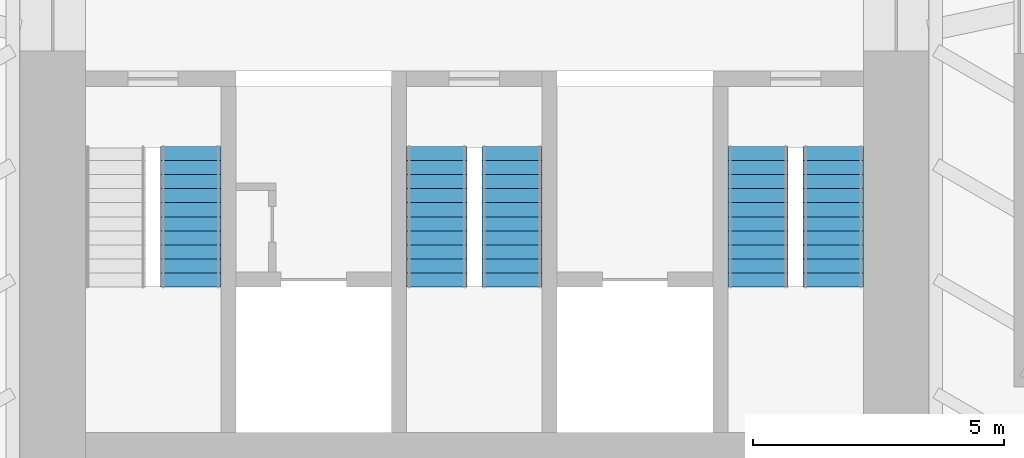
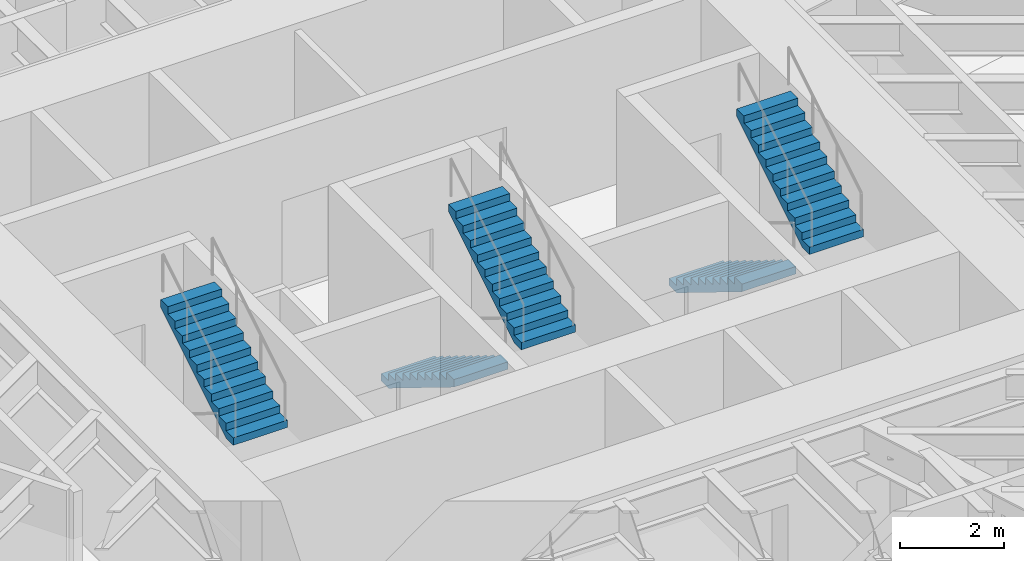
# One storey, part 16 of 17: 5 stair flights, 3 elements without a shape of their own.
"""IFC4 building model written with IfcOpenShell, lengths in metres."""

from ifc_helpers import new_model, si_unit, direction, frame, origin, place, context, subcontext, project, spatial, polyline, outline, extrude, material, type_object, element, aggregate, save


model = new_model("IFC4")

# Units and contexts
model_context = context("Model", 3, precision=1e-05, world=origin(), true_north=direction((0.0, 1.0)))
body_context = subcontext(model_context, "Body", "Model", "MODEL_VIEW")
ifc_project = project(units=[si_unit("LENGTHUNIT", "METRE"), si_unit("AREAUNIT", "SQUARE_METRE"), si_unit("VOLUMEUNIT", "CUBIC_METRE"), si_unit("PLANEANGLEUNIT", "RADIAN"), si_unit("MASSUNIT", "GRAM", prefix="KILO")], contexts=[model_context])

# Site, building, storey
site_placement = place(None, origin())
site = spatial("IfcSite", under=ifc_project, at=site_placement, CompositionType="ELEMENT")
building_placement = place(site_placement, origin())
building = spatial("IfcBuilding", under=site, at=building_placement, Name="Sandreach Pilgrim Tower", CompositionType="ELEMENT")
storey_placement = place(building_placement, frame((0.0, 0.0, 146.199951171875)))
storey = spatial("IfcBuildingStorey", under=building, at=storey_placement, Name="L36", CompositionType="ELEMENT", Elevation=146.199951171875)

# Stair, stair flight
ifc_material_1 = material(Name="Concrete 8000 psi", Category="concrete")
stair_type = type_object("IfcStairType", Name="Core exit stair", PredefinedType="HALF_TURN_STAIR", material=ifc_material_1)
stair_1_placement = place(storey_placement, origin())
stair_1 = element("IfcStair", 1, at=stair_1_placement, inside=storey, type_object=stair_type, Name="Exit stair ST1 L36", PredefinedType="HALF_TURN_STAIR")
ifc_material_2 = material(Name="Concrete 8000 psi", Category="concrete")
stair_flight_type = type_object("IfcStairFlightType", Name="Core stair flight 1200", PredefinedType="STRAIGHT", material=ifc_material_2)
stair_flight_1_placement = place(storey_placement, frame((-5.64990234375, -3.199951171875, 1.900146484375), z_axis=(0.0, 0.0, 1.0), x_axis=(0.0, 1.0, 0.0)))
stair_flight_1 = element("IfcStairFlight", 2, at=stair_flight_1_placement, type_object=stair_flight_type, Name="ST1 flight 2", NumberOfRisers=11, NumberOfTreads=10, PredefinedType="STRAIGHT", RiserHeight=0.172727273, TreadLength=0.28, context=body_context, shape_type="SweptSolid", body=[
    extrude(outline(polyline([(0.0, 0.0), (0.0, 0.172607421875), (0.280029296875, 0.172607421875), (0.280029296875, 0.345458984375), (0.56005859375, 0.345458984375), (0.56005859375, 0.51806640625), (0.840087890625, 0.51806640625), (0.840087890625, 0.69091796875), (1.1201171875, 0.69091796875), (1.1201171875, 0.863525390625), (1.39990234375, 0.863525390625), (1.39990234375, 1.036376953125), (1.679931640625, 1.036376953125), (1.679931640625, 1.208984375), (1.9599609375, 1.208984375), (1.9599609375, 1.3818359375), (2.239990234375, 1.3818359375), (2.239990234375, 1.554443359375), (2.52001953125, 1.554443359375), (2.52001953125, 1.727294921875), (2.800048828125, 1.727294921875), (2.800048828125, 1.89990234375), (2.800048828125, 1.551025390625), (0.285400390625, 0.0), (0.0, 0.0)])), frame((0.0, 0.60009765625, 0.0), z_axis=(0.0, -1.0, 0.0), x_axis=(1.0, 0.0, 0.0)), (0.0, 0.0, 1.0), 1.199951171875),
])
aggregate(stair_1, [stair_flight_1])

# Stair, stair flights
stair_2_placement = place(storey_placement, origin())
stair_2 = element("IfcStair", 3, at=stair_2_placement, inside=storey, type_object=stair_type, Name="Exit stair ST3 L36", PredefinedType="HALF_TURN_STAIR")
stair_flight_2_placement = place(storey_placement, frame((-0.75, -0.39990234375, 0.0), z_axis=(0.0, 0.0, 1.0), x_axis=(0.0, -1.0, 0.0)))
stair_flight_2 = element("IfcStairFlight", 4, at=stair_flight_2_placement, type_object=stair_flight_type, Name="ST3 flight 1", NumberOfRisers=11, NumberOfTreads=10, PredefinedType="STRAIGHT", RiserHeight=0.172727273, TreadLength=0.28, context=body_context, shape_type="SweptSolid", body=[
    extrude(outline(polyline([(0.0, 0.0), (0.0, 0.172607421875), (0.280029296875, 0.172607421875), (0.280029296875, 0.345458984375), (0.56005859375, 0.345458984375), (0.56005859375, 0.51806640625), (0.840087890625, 0.51806640625), (0.840087890625, 0.69091796875), (1.1201171875, 0.69091796875), (1.1201171875, 0.863525390625), (1.39990234375, 0.863525390625), (1.39990234375, 1.036376953125), (1.679931640625, 1.036376953125), (1.679931640625, 1.208984375), (1.9599609375, 1.208984375), (1.9599609375, 1.3818359375), (2.239990234375, 1.3818359375), (2.239990234375, 1.554443359375), (2.52001953125, 1.554443359375), (2.52001953125, 1.727294921875), (2.800048828125, 1.727294921875), (2.800048828125, 1.89990234375), (2.800048828125, 1.551025390625), (0.285400390625, 0.0), (0.0, 0.0)])), frame((0.0, 0.60009765625, 0.0), z_axis=(0.0, -1.0, 0.0), x_axis=(1.0, 0.0, 0.0)), (0.0, 0.0, 1.0), 1.199951171875),
])
stair_flight_3_placement = place(storey_placement, frame((0.75, -3.199951171875, 1.900146484375), z_axis=(0.0, 0.0, 1.0), x_axis=(0.0, 1.0, 0.0)))
stair_flight_3 = element("IfcStairFlight", 5, at=stair_flight_3_placement, type_object=stair_flight_type, Name="ST3 flight 2", NumberOfRisers=11, NumberOfTreads=10, PredefinedType="STRAIGHT", RiserHeight=0.172727273, TreadLength=0.28, context=body_context, shape_type="SweptSolid", body=[
    extrude(outline(polyline([(0.0, 0.0), (0.0, 0.172607421875), (0.280029296875, 0.172607421875), (0.280029296875, 0.345458984375), (0.56005859375, 0.345458984375), (0.56005859375, 0.51806640625), (0.840087890625, 0.51806640625), (0.840087890625, 0.69091796875), (1.1201171875, 0.69091796875), (1.1201171875, 0.863525390625), (1.39990234375, 0.863525390625), (1.39990234375, 1.036376953125), (1.679931640625, 1.036376953125), (1.679931640625, 1.208984375), (1.9599609375, 1.208984375), (1.9599609375, 1.3818359375), (2.239990234375, 1.3818359375), (2.239990234375, 1.554443359375), (2.52001953125, 1.554443359375), (2.52001953125, 1.727294921875), (2.800048828125, 1.727294921875), (2.800048828125, 1.89990234375), (2.800048828125, 1.551025390625), (0.285400390625, 0.0), (0.0, 0.0)])), frame((0.0, 0.60009765625, 0.0), z_axis=(0.0, -1.0, 0.0), x_axis=(1.0, 0.0, 0.0)), (0.0, 0.0, 1.0), 1.199951171875),
])
aggregate(stair_2, [stair_flight_2, stair_flight_3])

stair_3_placement = place(storey_placement, origin())
stair_3 = element("IfcStair", 6, at=stair_3_placement, inside=storey, type_object=stair_type, Name="Exit stair ST2 L36", PredefinedType="HALF_TURN_STAIR")
stair_flight_4_placement = place(storey_placement, frame((5.64990234375, -0.39990234375, 0.0), z_axis=(0.0, 0.0, 1.0), x_axis=(0.0, -1.0, 0.0)))
stair_flight_4 = element("IfcStairFlight", 7, at=stair_flight_4_placement, type_object=stair_flight_type, Name="ST2 flight 1", NumberOfRisers=11, NumberOfTreads=10, PredefinedType="STRAIGHT", RiserHeight=0.172727273, TreadLength=0.28, context=body_context, shape_type="SweptSolid", body=[
    extrude(outline(polyline([(0.0, 0.0), (0.0, 0.172607421875), (0.280029296875, 0.172607421875), (0.280029296875, 0.345458984375), (0.56005859375, 0.345458984375), (0.56005859375, 0.51806640625), (0.840087890625, 0.51806640625), (0.840087890625, 0.69091796875), (1.1201171875, 0.69091796875), (1.1201171875, 0.863525390625), (1.39990234375, 0.863525390625), (1.39990234375, 1.036376953125), (1.679931640625, 1.036376953125), (1.679931640625, 1.208984375), (1.9599609375, 1.208984375), (1.9599609375, 1.3818359375), (2.239990234375, 1.3818359375), (2.239990234375, 1.554443359375), (2.52001953125, 1.554443359375), (2.52001953125, 1.727294921875), (2.800048828125, 1.727294921875), (2.800048828125, 1.89990234375), (2.800048828125, 1.551025390625), (0.285400390625, 0.0), (0.0, 0.0)])), frame((0.0, 0.60009765625, 0.0), z_axis=(0.0, -1.0, 0.0), x_axis=(1.0, 0.0, 0.0)), (0.0, 0.0, 1.0), 1.199951171875),
])
stair_flight_5_placement = place(storey_placement, frame((7.14990234375, -3.199951171875, 1.900146484375), z_axis=(0.0, 0.0, 1.0), x_axis=(0.0, 1.0, 0.0)))
stair_flight_5 = element("IfcStairFlight", 8, at=stair_flight_5_placement, type_object=stair_flight_type, Name="ST2 flight 2", NumberOfRisers=11, NumberOfTreads=10, PredefinedType="STRAIGHT", RiserHeight=0.172727273, TreadLength=0.28, context=body_context, shape_type="SweptSolid", body=[
    extrude(outline(polyline([(0.0, 0.0), (0.0, 0.172607421875), (0.280029296875, 0.172607421875), (0.280029296875, 0.345458984375), (0.56005859375, 0.345458984375), (0.56005859375, 0.51806640625), (0.840087890625, 0.51806640625), (0.840087890625, 0.69091796875), (1.1201171875, 0.69091796875), (1.1201171875, 0.863525390625), (1.39990234375, 0.863525390625), (1.39990234375, 1.036376953125), (1.679931640625, 1.036376953125), (1.679931640625, 1.208984375), (1.9599609375, 1.208984375), (1.9599609375, 1.3818359375), (2.239990234375, 1.3818359375), (2.239990234375, 1.554443359375), (2.52001953125, 1.554443359375), (2.52001953125, 1.727294921875), (2.800048828125, 1.727294921875), (2.800048828125, 1.89990234375), (2.800048828125, 1.551025390625), (0.285400390625, 0.0), (0.0, 0.0)])), frame((0.0, 0.60009765625, 0.0), z_axis=(0.0, -1.0, 0.0), x_axis=(1.0, 0.0, 0.0)), (0.0, 0.0, 1.0), 1.199951171875),
])
aggregate(stair_3, [stair_flight_4, stair_flight_5])

save(model, "model.ifc")
